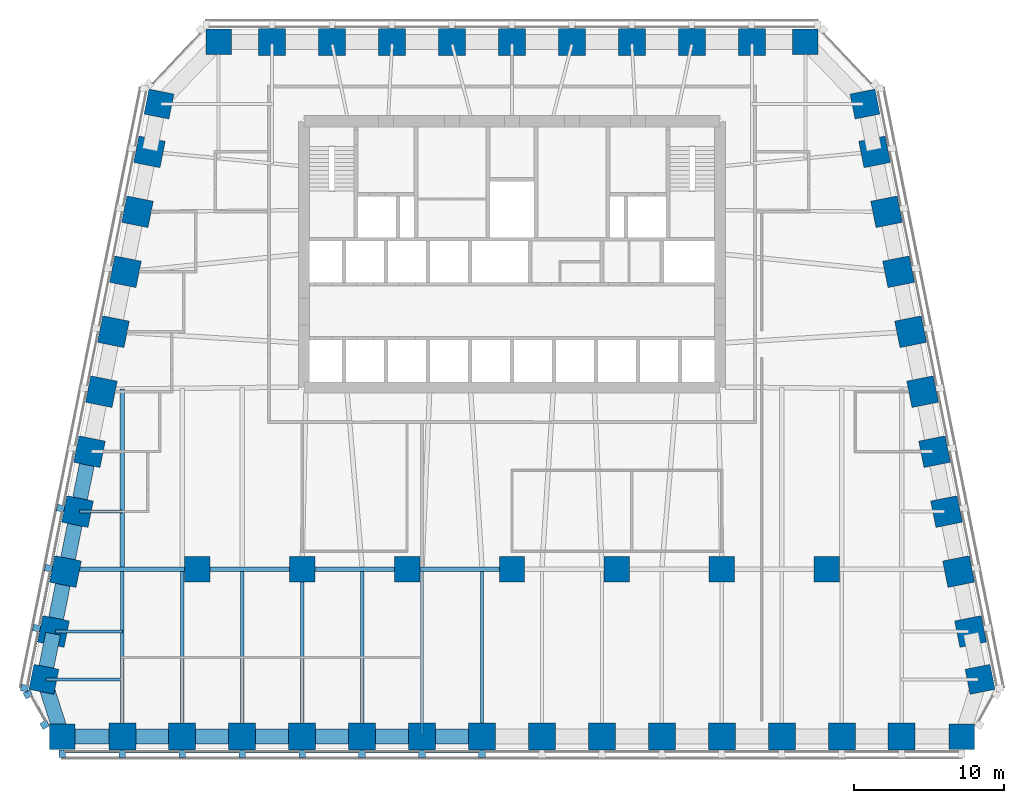
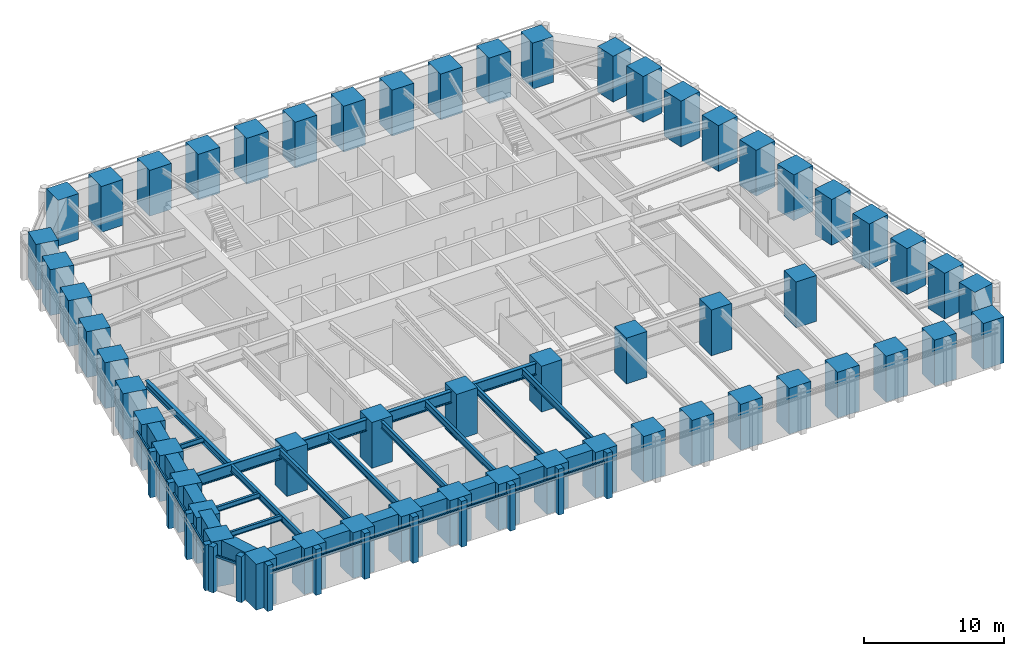
# One storey, part 1 of 10: 56 columns, 27 beams, 26 members, 3 elements without a shape of their own.
"""IFC4 building model written with IfcOpenShell, lengths in metres."""

import ifcopenshell
import ifcopenshell.guid

model = None  # the IFC model being written
_history = None  # IfcOwnerHistory: only IFC2X3 demands one
_inside = {}  # id of a spatial element -> (the spatial element, [elements in it])
_under = {}  # id of a project, library or spatial element -> (it, [spatial elements below it])
_declared = {}  # id of a project -> (the project, [libraries it declares])
_typed = {}  # id of a type object -> (the type object, [elements of that type])
_made_of = {}  # id of a material, layer set ... -> (it, [elements and type objects made of it])


def new_model(schema):
    """Start an empty IFC model of exactly this schema.

    Asked for "IFC4X3", IfcOpenShell would pick the latest addendum, in which some entities
    have other attributes; the version numbers below select the first issue.
    IFC2X3 requires an IfcOwnerHistory on every rooted entity: one is made here for all.
    """
    global model, _history
    if schema == "IFC4X3":
        model = ifcopenshell.file(schema_version=(4, 3, 0, 0))
    else:
        model = ifcopenshell.file(schema=schema)
    _inside.clear()
    _under.clear()
    _declared.clear()
    _typed.clear()
    _made_of.clear()
    _history = None
    if model.schema == "IFC2X3":
        org = make("IfcOrganization", Name="unknown")
        user = make(
            "IfcPersonAndOrganization",
            ThePerson=make("IfcPerson", FamilyName="unknown"),
            TheOrganization=org,
        )
        app = make(
            "IfcApplication",
            ApplicationDeveloper=org,
            Version="unknown",
            ApplicationFullName="unknown",
            ApplicationIdentifier="unknown",
        )
        _history = make(
            "IfcOwnerHistory",
            OwningUser=user,
            OwningApplication=app,
            ChangeAction="ADDED",
            CreationDate=0,
        )
    return model


def make(cls, **values):
    """One entity of the class cls with the attributes given. An attribute that is None is left unset."""
    return model.create_entity(
        cls, **{name: value for name, value in values.items() if value is not None}
    )


def rooted(cls, **values):
    """An entity with a GlobalId (a new one), such as an element, a storey or a relation."""
    return make(cls, GlobalId=ifcopenshell.guid.new(), OwnerHistory=_history, **values)


def si_unit(unit_type, name, prefix=None):
    """IfcSIUnit, for example si_unit("LENGTHUNIT", "METRE", prefix="MILLI")."""
    return make("IfcSIUnit", UnitType=unit_type, Prefix=prefix, Name=name)


def assignment(units):
    """IfcUnitAssignment: the units of a project."""
    return None if units is None else make("IfcUnitAssignment", Units=units)


def point(xyz):
    """IfcCartesianPoint."""
    return None if xyz is None else make("IfcCartesianPoint", Coordinates=xyz)


def direction(xyz):
    """IfcDirection."""
    return None if xyz is None else make("IfcDirection", DirectionRatios=xyz)


def frame(location, z_axis=None, x_axis=None):
    """IfcAxis2Placement3D, a coordinate frame: its origin and axes. An axis left out is left unset."""
    return make(
        "IfcAxis2Placement3D",
        Location=point(location),
        Axis=direction(z_axis),
        RefDirection=direction(x_axis),
    )


def frame_2d(location, x_axis=None):
    """IfcAxis2Placement2D, a coordinate frame in the plane: its origin and x axis."""
    return make(
        "IfcAxis2Placement2D", Location=point(location), RefDirection=direction(x_axis)
    )


def origin():
    """The frame at (0, 0, 0) with its axes left unset."""
    return frame((0.0, 0.0, 0.0))


def origin_2d():
    """The frame at (0, 0) in the plane with its x axis left unset."""
    return frame_2d((0.0, 0.0))


def place(relative_to, where):
    """IfcLocalPlacement: puts the frame where relative to a parent placement (None: the world)."""
    return make(
        "IfcLocalPlacement", PlacementRelTo=relative_to, RelativePlacement=where
    )


def context(
    kind, dimensions, precision=None, world=None, true_north=None, identifier=None
):
    """IfcGeometricRepresentationContext, for example the 3D "Model" context."""
    return make(
        "IfcGeometricRepresentationContext",
        ContextIdentifier=identifier,
        ContextType=kind,
        CoordinateSpaceDimension=dimensions,
        Precision=precision,
        WorldCoordinateSystem=world,
        TrueNorth=true_north,
    )


def subcontext(parent, identifier, kind, view, scale=None):
    """IfcGeometricRepresentationSubContext, for example "Body" below "Model"."""
    return make(
        "IfcGeometricRepresentationSubContext",
        ContextIdentifier=identifier,
        ContextType=kind,
        ParentContext=parent,
        TargetScale=scale,
        TargetView=view,
    )


def project(units=None, contexts=None):
    """IfcProject with its units and contexts."""
    return rooted(
        "IfcProject",
        Name="project",
        RepresentationContexts=contexts,
        UnitsInContext=assignment(units),
    )


def spatial(cls, under=None, at=None, **own):
    """A site, building, storey or space (cls), placed at a placement, below another one or the project."""
    s = rooted(cls, ObjectPlacement=at, **own)
    if under is not None:
        _under.setdefault(under.id(), (under, []))[1].append(s)
    return s


def profile(cls, at=None, kind="AREA", **sizes):
    """A parametric profile (cls). Its sizes go by their IFC names, for example OverallWidth=200.0."""
    return make(cls, ProfileType=kind, Position=at, **sizes)


def rectangle(**sizes):
    """IfcRectangleProfileDef."""
    return profile("IfcRectangleProfileDef", **sizes)


def i_section(**sizes):
    """IfcIShapeProfileDef."""
    return profile("IfcIShapeProfileDef", **sizes)


def extrude(swept, where, along, depth):
    """IfcExtrudedAreaSolid: the profile swept, set in the frame where, extruded along a direction by depth."""
    return make(
        "IfcExtrudedAreaSolid",
        SweptArea=swept,
        Position=where,
        ExtrudedDirection=direction(along),
        Depth=depth,
    )


def shape(context_of_items, identifier, shape_type, items):
    """IfcShapeRepresentation: the items that make up one representation, for example the "Body"."""
    return make(
        "IfcShapeRepresentation",
        ContextOfItems=context_of_items,
        RepresentationIdentifier=identifier,
        RepresentationType=shape_type,
        Items=items,
    )


def material(Name=None, Category=None):
    """IfcMaterial."""
    return make("IfcMaterial", Name=Name, Category=Category)


def material_profile(
    of_material, cross_section, Name=None, Category=None, Priority=None
):
    """IfcMaterialProfile: a cross section and its material."""
    return make(
        "IfcMaterialProfile",
        Name=Name,
        Material=of_material,
        Profile=cross_section,
        Priority=Priority,
        Category=Category,
    )


def profile_set(profiles, Name=None, composite=None):
    """IfcMaterialProfileSet."""
    return make(
        "IfcMaterialProfileSet",
        Name=Name,
        MaterialProfiles=profiles,
        CompositeProfile=composite,
    )


def made_of(thing, what):
    """Note that an element or type object is made of a material, layer set ...; save() writes the relation."""
    if what is not None:
        _made_of.setdefault(what.id(), (what, []))[1].append(thing)
    return thing


def type_object(cls, material=None, **own):
    """A type object (cls), such as IfcWallType, which elements share."""
    return made_of(rooted(cls, **own), material)


def element(
    cls,
    number,
    at=None,
    inside=None,
    cuts=None,
    type_object=None,
    material=None,
    context=None,
    identifier="Body",
    shape_type=None,
    held_by="IfcProductDefinitionShape",
    body=None,
    shapes=None,
    **own,
):
    """One element of the class cls, such as IfcWall. Its Tag is "e" and its number.

    at: its placement. inside: the storey or other place that contains it. cuts: it is an
    opening in that element (IfcRelVoidsElement). A single representation is given by context,
    identifier, shape_type and body (its items); several are given by shapes. held_by: the class
    of the entity that holds the representations. save() writes the other relations.
    """
    e = rooted(cls, Tag="e%d" % number, ObjectPlacement=at, **own)
    if body is not None:
        shapes = [shape(context, identifier, shape_type, body)]
    if shapes is not None:
        e.Representation = make(held_by, Representations=shapes)
    if inside is not None:
        _inside.setdefault(inside.id(), (inside, []))[1].append(e)
    if cuts is not None:
        rooted(
            "IfcRelVoidsElement", RelatingBuildingElement=cuts, RelatedOpeningElement=e
        )
    if type_object is not None:
        _typed.setdefault(type_object.id(), (type_object, []))[1].append(e)
    return made_of(e, material)


def aggregate(whole, parts):
    """IfcRelAggregates: a whole, such as a stair, and the parts it consists of."""
    return rooted("IfcRelAggregates", RelatingObject=whole, RelatedObjects=parts)


def save(model, path):
    """Write the relations noted so far, then the file.

    IfcRelAggregates (storeys below a building ...), IfcRelContainedInSpatialStructure (elements
    in a storey), IfcRelDefinesByType, IfcRelAssociatesMaterial and IfcRelDeclares: one each for
    every whole, place, type object, material and project.
    """
    for whole, parts in _under.values():
        aggregate(whole, parts)
    for where, things in _inside.values():
        rooted(
            "IfcRelContainedInSpatialStructure",
            RelatedElements=things,
            RelatingStructure=where,
        )
    for kind, things in _typed.values():
        rooted("IfcRelDefinesByType", RelatedObjects=things, RelatingType=kind)
    for what, things in _made_of.values():
        rooted("IfcRelAssociatesMaterial", RelatedObjects=things, RelatingMaterial=what)
    for by, libraries in _declared.values():
        rooted("IfcRelDeclares", RelatingContext=by, RelatedDefinitions=libraries)
    model.write(path)


model = new_model("IFC4")

# Units and contexts
model_context = context("Model", 3, precision=1e-05, world=origin(), true_north=direction((0.0, 1.0)))
body_context = subcontext(model_context, "Body", "Model", "MODEL_VIEW")
ifc_project = project(units=[si_unit("LENGTHUNIT", "METRE"), si_unit("AREAUNIT", "SQUARE_METRE"), si_unit("VOLUMEUNIT", "CUBIC_METRE"), si_unit("PLANEANGLEUNIT", "RADIAN"), si_unit("MASSUNIT", "GRAM", prefix="KILO")], contexts=[model_context])

# Site, building, storey
site_placement = place(None, origin())
site = spatial("IfcSite", under=ifc_project, at=site_placement, CompositionType="ELEMENT")
building_placement = place(site_placement, origin())
building = spatial("IfcBuilding", under=site, at=building_placement, Name="Isbrekke Arena Tower", CompositionType="ELEMENT")
storey_placement = place(building_placement, frame((0.0, 0.0, 111.0)))
storey = spatial("IfcBuildingStorey", under=building, at=storey_placement, Name="L24", CompositionType="ELEMENT", Elevation=111.0)

# Columns
ifc_material_1 = material(Name="Concrete B80 (C80/95)", Category="concrete")
ifc_material_profile_1 = material_profile(ifc_material_1, rectangle(XDim=1.699951171875, YDim=1.699951171875, at=origin_2d()), Name="RC 1700x1700")
ifc_profile_set_1 = profile_set([ifc_material_profile_1], Name="Concrete B80 (C80/95)")
column_type_1 = type_object("IfcColumnType", Name="C12 RC 1700 x 1700", PredefinedType="COLUMN", material=ifc_profile_set_1)
for number, where, z_axis, x_axis, name in (
    (1, (-21.0, -6.0, 0.0), (0.0, 0.0, 1.0), (1.0, 0.0, 0.0), "C12 I01"),
    (2, (-14.0, -6.0, 0.0), (0.0, 0.0, 1.0), (1.0, 0.0, 0.0), "C12 I02"),
    (3, (-7.0, -6.0, 0.0), (0.0, 0.0, 1.0), (1.0, 0.0, 0.0), "C12 I03"),
    (4, (0.0, -6.0, 0.0), (0.0, 0.0, 1.0), (1.0, 0.0, 0.0), "C12 I04"),
    (5, (7.0, -6.0, 0.0), (0.0, 0.0, 1.0), (1.0, 0.0, 0.0), "C12 I05"),
    (6, (14.0, -6.0, 0.0), (0.0, 0.0, 1.0), (1.0, 0.0, 0.0), "C12 I06"),
    (7, (21.0, -6.0, 0.0), (0.0, 0.0, 1.0), (1.0, 0.0, 0.0), "C12 I07"),
):
    element("IfcColumn", number, at=place(storey_placement, frame(where, z_axis=z_axis, x_axis=x_axis)), inside=storey, type_object=column_type_1, Name=name, PredefinedType="COLUMN", context=body_context, shape_type="SweptSolid", body=[
        extrude(rectangle(XDim=1.699951171875, YDim=1.699951171875, at=origin_2d()), origin(), (0.0, 0.0, 1.0), 4.0),
    ])
ifc_material_2 = material(Name="Concrete B80 (C80/95)", Category="concrete")
ifc_material_profile_2 = material_profile(ifc_material_2, rectangle(XDim=1.800048828125, YDim=1.800048828125, at=origin_2d()), Name="RC 1800x1800")
ifc_profile_set_2 = profile_set([ifc_material_profile_2], Name="Concrete B80 (C80/95)")
column_type_2 = type_object("IfcColumnType", Name="C3 RC 1800 x 1800", PredefinedType="COLUMN", material=ifc_profile_set_2)
for number, where, z_axis, x_axis, name in (
    (8, (-26.0, -17.175048828125, 0.0), (0.0, 0.0, 1.0), (1.0, 0.0, 0.0), "C3 S02"),
    (9, (-22.0, -17.175048828125, 0.0), (0.0, 0.0, 1.0), (1.0, 0.0, 0.0), "C3 S03"),
    (10, (-18.0, -17.175048828125, 0.0), (0.0, 0.0, 1.0), (1.0, 0.0, 0.0), "C3 S04"),
    (11, (-14.0, -17.175048828125, 0.0), (0.0, 0.0, 1.0), (1.0, 0.0, 0.0), "C3 S05"),
    (12, (-10.0, -17.175048828125, 0.0), (0.0, 0.0, 1.0), (1.0, 0.0, 0.0), "C3 S06"),
    (13, (-6.0, -17.175048828125, 0.0), (0.0, 0.0, 1.0), (1.0, 0.0, 0.0), "C3 S07"),
    (14, (-2.0, -17.175048828125, 0.0), (0.0, 0.0, 1.0), (1.0, 0.0, 0.0), "C3 S08"),
    (15, (2.0, -17.175048828125, 0.0), (0.0, 0.0, 1.0), (1.0, 0.0, 0.0), "C3 S09"),
    (16, (6.0, -17.175048828125, 0.0), (0.0, 0.0, 1.0), (1.0, 0.0, 0.0), "C3 S10"),
    (17, (10.0, -17.175048828125, 0.0), (0.0, 0.0, 1.0), (1.0, 0.0, 0.0), "C3 S11"),
    (18, (14.0, -17.175048828125, 0.0), (0.0, 0.0, 1.0), (1.0, 0.0, 0.0), "C3 S12"),
    (19, (18.0, -17.175048828125, 0.0), (0.0, 0.0, 1.0), (1.0, 0.0, 0.0), "C3 S13"),
    (20, (22.0, -17.175048828125, 0.0), (0.0, 0.0, 1.0), (1.0, 0.0, 0.0), "C3 S14"),
    (21, (26.0, -17.175048828125, 0.0), (0.0, 0.0, 1.0), (1.0, 0.0, 0.0), "C3 S15"),
    (22, (30.591064453125, -10.161865234375, 0.0), (0.0, 0.0, 1.0), (-0.196116135138, 0.980580675691, 0.0), "C3 E02"),
    (23, (29.791015625, -6.161865234375, 0.0), (0.0, 0.0, 1.0), (-0.196116135138, 0.980580675691, 0.0), "C3 E03"),
    (24, (28.990966796875, -2.161865234375, 0.0), (0.0, 0.0, 1.0), (-0.196116135138, 0.980580675691, 0.0), "C3 E04"),
    (25, (28.19091796875, 1.838134765625, 0.0), (0.0, 0.0, 1.0), (-0.196116135138, 0.980580675691, 0.0), "C3 E05"),
    (26, (27.39111328125, 5.838134765625, 0.0), (0.0, 0.0, 1.0), (-0.196116135138, 0.980580675691, 0.0), "C3 E06"),
    (27, (26.591064453125, 9.838134765625, 0.0), (0.0, 0.0, 1.0), (-0.196116135138, 0.980580675691, 0.0), "C3 E07"),
    (28, (25.791015625, 13.838134765625, 0.0), (0.0, 0.0, 1.0), (-0.196116135138, 0.980580675691, 0.0), "C3 E08"),
    (29, (24.990966796875, 17.838134765625, 0.0), (0.0, 0.0, 1.0), (-0.196116135138, 0.980580675691, 0.0), "C3 E09"),
    (30, (24.19091796875, 21.838134765625, 0.0), (0.0, 0.0, 1.0), (-0.196116135138, 0.980580675691, 0.0), "C3 E10"),
    (31, (16.0, 29.175048828125, 0.0), (0.0, 0.0, 1.0), (-1.0, 0.0, 0.0), "C3 N02"),
    (32, (12.0, 29.175048828125, 0.0), (0.0, 0.0, 1.0), (-1.0, 0.0, 0.0), "C3 N03"),
    (33, (8.0, 29.175048828125, 0.0), (0.0, 0.0, 1.0), (-1.0, 0.0, 0.0), "C3 N04"),
    (34, (4.0, 29.175048828125, 0.0), (0.0, 0.0, 1.0), (-1.0, 0.0, 0.0), "C3 N05"),
    (35, (0.0, 29.175048828125, 0.0), (0.0, 0.0, 1.0), (-1.0, 0.0, 0.0), "C3 N06"),
    (36, (-4.0, 29.175048828125, 0.0), (0.0, 0.0, 1.0), (-1.0, 0.0, 0.0), "C3 N07"),
    (37, (-8.0, 29.175048828125, 0.0), (0.0, 0.0, 1.0), (-1.0, 0.0, 0.0), "C3 N08"),
    (38, (-12.0, 29.175048828125, 0.0), (0.0, 0.0, 1.0), (-1.0, 0.0, 0.0), "C3 N09"),
    (39, (-16.0, 29.175048828125, 0.0), (0.0, 0.0, 1.0), (-1.0, 0.0, 0.0), "C3 N10"),
    (40, (-24.19091796875, 21.838134765625, 0.0), (0.0, 0.0, 1.0), (-0.196116135138, -0.980580675691, 0.0), "C3 W02"),
    (41, (-24.990966796875, 17.838134765625, 0.0), (0.0, 0.0, 1.0), (-0.196116135138, -0.980580675691, 0.0), "C3 W03"),
    (42, (-25.791015625, 13.838134765625, 0.0), (0.0, 0.0, 1.0), (-0.196116135138, -0.980580675691, 0.0), "C3 W04"),
    (43, (-26.591064453125, 9.838134765625, 0.0), (0.0, 0.0, 1.0), (-0.196116135138, -0.980580675691, 0.0), "C3 W05"),
    (44, (-27.39111328125, 5.838134765625, 0.0), (0.0, 0.0, 1.0), (-0.196116135138, -0.980580675691, 0.0), "C3 W06"),
    (45, (-28.19091796875, 1.838134765625, 0.0), (0.0, 0.0, 1.0), (-0.196116135138, -0.980580675691, 0.0), "C3 W07"),
    (46, (-28.990966796875, -2.161865234375, 0.0), (0.0, 0.0, 1.0), (-0.196116135138, -0.980580675691, 0.0), "C3 W08"),
    (47, (-29.791015625, -6.161865234375, 0.0), (0.0, 0.0, 1.0), (-0.196116135138, -0.980580675691, 0.0), "C3 W09"),
    (48, (-30.591064453125, -10.161865234375, 0.0), (0.0, 0.0, 1.0), (-0.196116135138, -0.980580675691, 0.0), "C3 W10"),
):
    element("IfcColumn", number, at=place(storey_placement, frame(where, z_axis=z_axis, x_axis=x_axis)), inside=storey, type_object=column_type_2, Name=name, PredefinedType="COLUMN", context=body_context, shape_type="SweptSolid", body=[
        extrude(rectangle(XDim=1.800048828125, YDim=1.800048828125, at=origin_2d()), origin(), (0.0, 0.0, 1.0), 4.0),
    ])
ifc_material_3 = material(Name="Concrete B80 (C80/95)", Category="concrete")
ifc_material_profile_3 = material_profile(ifc_material_3, rectangle(XDim=1.699951171875, YDim=1.699951171875, at=origin_2d()), Name="RC 1700x1700")
ifc_profile_set_3 = profile_set([ifc_material_profile_3], Name="Concrete B80 (C80/95)")
column_type_3 = type_object("IfcColumnType", Name="C7 RC 1700 x 1700", PredefinedType="COLUMN", material=ifc_profile_set_3)
for number, where, z_axis, x_axis, name in (
    (49, (-30.0, -17.175048828125, 0.0), (0.0, 0.0, 1.0), (1.0, 0.0, 0.0), "C7 S01"),
    (50, (30.0, -17.175048828125, 0.0), (0.0, 0.0, 1.0), (1.0, 0.0, 0.0), "C7 S16"),
    (51, (31.229248046875, -13.352783203125, 0.0), (0.0, 0.0, 1.0), (-0.196116135138, 0.980580675691, 0.0), "C7 E01"),
    (52, (23.552734375, 25.029296875, 0.0), (0.0, 0.0, 1.0), (-0.196116135138, 0.980580675691, 0.0), "C7 E11"),
    (53, (19.574951171875, 29.175048828125, 0.0), (0.0, 0.0, 1.0), (-1.0, 0.0, 0.0), "C7 N01"),
    (54, (-19.574951171875, 29.175048828125, 0.0), (0.0, 0.0, 1.0), (-1.0, 0.0, 0.0), "C7 N11"),
    (55, (-23.552734375, 25.029296875, 0.0), (0.0, 0.0, 1.0), (-0.196116135138, -0.980580675691, 0.0), "C7 W01"),
    (56, (-31.229248046875, -13.352783203125, 0.0), (0.0, 0.0, 1.0), (-0.196116135138, -0.980580675691, 0.0), "C7 W11"),
):
    element("IfcColumn", number, at=place(storey_placement, frame(where, z_axis=z_axis, x_axis=x_axis)), inside=storey, type_object=column_type_3, Name=name, PredefinedType="COLUMN", context=body_context, shape_type="SweptSolid", body=[
        extrude(rectangle(XDim=1.699951171875, YDim=1.699951171875, at=origin_2d()), origin(), (0.0, 0.0, 1.0), 4.0),
    ])

# Beams
ifc_material_4 = material(Name="Steel S355", Category="steel")
ifc_material_profile_4 = material_profile(ifc_material_4, i_section(OverallWidth=0.219970703125, OverallDepth=0.60009765625, WebThickness=0.011962890625, FlangeThickness=0.01904296875, FilletRadius=0.02392578125, at=origin_2d()), Name="IPE 600")
ifc_profile_set_4 = profile_set([ifc_material_profile_4], Name="Steel S355")
beam_type_1 = type_object("IfcBeamType", Name="B1 IPE 600", PredefinedType="BEAM", material=ifc_profile_set_4)
for number, where, z_axis, x_axis, name in (
    (57, (-26.0, -17.02490234375, 3.550048828125), (0.0, 1.0, 0.0), (-1.0, 0.0, 0.0), "B1 beam S-S02 L24"),
    (58, (-22.0, -17.02490234375, 3.550048828125), (0.0, 1.0, 0.0), (-1.0, 0.0, 0.0), "B1 beam S-S03 L24"),
    (59, (-18.0, -17.02490234375, 3.550048828125), (0.0, 1.0, 0.0), (-1.0, 0.0, 0.0), "B1 beam S-S04 L24"),
):
    element("IfcBeam", number, at=place(storey_placement, frame(where, z_axis=z_axis, x_axis=x_axis)), inside=storey, type_object=beam_type_1, Name=name, PredefinedType="BEAM", context=body_context, shape_type="SweptSolid", body=[
        extrude(i_section(OverallWidth=0.219970703125, OverallDepth=0.60009765625, WebThickness=0.011962890625, FlangeThickness=0.01904296875, FilletRadius=0.02392578125, at=origin_2d()), origin(), (0.0, 0.0, 1.0), 10.8740234375),
    ])
beam_1_placement = place(storey_placement, frame((-14.0, -17.02490234375, 3.550048828125), z_axis=(0.0, 1.0, 0.0), x_axis=(-1.0, 0.0, 0.0)))
element("IfcBeam", 60, at=beam_1_placement, inside=storey, type_object=beam_type_1, Name="B1 beam S-S05 L24", PredefinedType="BEAM", context=body_context, shape_type="SweptSolid", body=[
    extrude(i_section(OverallWidth=0.219970703125, OverallDepth=0.60009765625, WebThickness=0.011962890625, FlangeThickness=0.01904296875, FilletRadius=0.02392578125, at=origin_2d()), origin(), (0.0, 0.0, 1.0), 10.875),
])
for number, where, z_axis, x_axis, name in (
    (61, (-10.0, -17.02490234375, 3.550048828125), (0.0, 1.0, 0.0), (-1.0, 0.0, 0.0), "B1 beam S-S06 L24"),
    (62, (-6.0, -17.02490234375, 3.550048828125), (0.0, 1.0, 0.0), (-1.0, 0.0, 0.0), "B1 beam S-S07 L24"),
    (63, (-2.0, -17.02490234375, 3.550048828125), (0.0, 1.0, 0.0), (-1.0, 0.0, 0.0), "B1 beam S-S08 L24"),
):
    element("IfcBeam", number, at=place(storey_placement, frame(where, z_axis=z_axis, x_axis=x_axis)), inside=storey, type_object=beam_type_1, Name=name, PredefinedType="BEAM", context=body_context, shape_type="SweptSolid", body=[
        extrude(i_section(OverallWidth=0.219970703125, OverallDepth=0.60009765625, WebThickness=0.011962890625, FlangeThickness=0.01904296875, FilletRadius=0.02392578125, at=origin_2d()), origin(), (0.0, 0.0, 1.0), 10.8740234375),
    ])
ifc_material_5 = material(Name="Steel S355", Category="steel")
ifc_material_profile_5 = material_profile(ifc_material_5, i_section(OverallWidth=0.18994140625, OverallDepth=0.449951171875, WebThickness=0.009521484375, FlangeThickness=0.0146484375, FilletRadius=0.02099609375, at=origin_2d()), Name="IPE 450")
ifc_profile_set_5 = profile_set([ifc_material_profile_5], Name="Steel S355")
beam_type_2 = type_object("IfcBeamType", Name="B2 IPE 450", PredefinedType="BEAM", material=ifc_profile_set_5)
beam_2_placement = place(storey_placement, frame((-28.841064453125, -2.161865234375, 3.625), z_axis=(1.0, 0.0, 0.0), x_axis=(0.0, 1.0, 0.0)))
element("IfcBeam", 64, at=beam_2_placement, inside=storey, type_object=beam_type_2, Name="B2 beam E-W08 L24", PredefinedType="BEAM", context=body_context, shape_type="SweptSolid", body=[
    extrude(i_section(OverallWidth=0.18994140625, OverallDepth=0.449951171875, WebThickness=0.009521484375, FlangeThickness=0.0146484375, FilletRadius=0.02099609375, at=origin_2d()), origin(), (0.0, 0.0, 1.0), 2.841064453125),
])
beam_3_placement = place(storey_placement, frame((-30.44091796875, -10.161865234375, 3.625), z_axis=(1.0, 0.0, 0.0), x_axis=(0.0, 1.0, 0.0)))
element("IfcBeam", 65, at=beam_3_placement, inside=storey, type_object=beam_type_2, Name="B2 beam E-W10 L24", PredefinedType="BEAM", context=body_context, shape_type="SweptSolid", body=[
    extrude(i_section(OverallWidth=0.18994140625, OverallDepth=0.449951171875, WebThickness=0.009521484375, FlangeThickness=0.0146484375, FilletRadius=0.02099609375, at=origin_2d()), origin(), (0.0, 0.0, 1.0), 4.44091796875),
])
beam_4_placement = place(storey_placement, frame((-31.079345703125, -13.352783203125, 3.625), z_axis=(1.0, 0.0, 0.0), x_axis=(0.0, 1.0, 0.0)))
element("IfcBeam", 66, at=beam_4_placement, inside=storey, type_object=beam_type_2, Name="B2 beam E-W11 L24", PredefinedType="BEAM", context=body_context, shape_type="SweptSolid", body=[
    extrude(i_section(OverallWidth=0.18994140625, OverallDepth=0.449951171875, WebThickness=0.009521484375, FlangeThickness=0.0146484375, FilletRadius=0.02099609375, at=origin_2d()), origin(), (0.0, 0.0, 1.0), 5.079345703125),
])
ifc_material_6 = material(Name="Steel S355", Category="steel")
ifc_material_profile_6 = material_profile(ifc_material_6, i_section(OverallWidth=0.300048828125, OverallDepth=0.60009765625, WebThickness=0.015380859375, FlangeThickness=0.030029296875, FilletRadius=0.027099609375, at=origin_2d()), Name="HEB 600")
ifc_profile_set_6 = profile_set([ifc_material_profile_6], Name="Steel S355")
beam_type_3 = type_object("IfcBeamType", Name="B7 HEB 600", PredefinedType="BEAM", material=ifc_profile_set_6)
beam_5_placement = place(storey_placement, frame((-26.0, -5.84912109375, 3.550048828125), z_axis=(0.0, 1.0, 0.0), x_axis=(-1.0, 0.0, 0.0)))
element("IfcBeam", 67, at=beam_5_placement, inside=storey, type_object=beam_type_3, Name="B7 beam C-M01 L24", PredefinedType="BEAM", context=body_context, shape_type="SweptSolid", body=[
    extrude(i_section(OverallWidth=0.300048828125, OverallDepth=0.60009765625, WebThickness=0.015380859375, FlangeThickness=0.030029296875, FilletRadius=0.027099609375, at=origin_2d()), origin(), (0.0, 0.0, 1.0), 11.864990234375),
])

# Curtain wall, members
ifc_material_7 = material(Name="Glazed aluminium curtain wall", Category="aluminium")
curtain_wall_type = type_object("IfcCurtainWallType", Name="CWM TOWER CURTAIN WALL MID ZONE", PredefinedType="USERDEFINED", material=ifc_material_7)
curtain_wall_1_placement = place(storey_placement, origin())
curtain_wall_1 = element("IfcCurtainWall", 68, at=curtain_wall_1_placement, inside=storey, type_object=curtain_wall_type, Name="CWM curtain wall L24-S", ObjectType="TOWER CURTAIN WALL MID ZONE", PredefinedType="USERDEFINED")
ifc_material_8 = material(Name="Aluminium mullion, pale brick slip cladding", Category="masonry")
ifc_material_profile_7 = material_profile(ifc_material_8, rectangle(XDim=0.449951171875, YDim=0.5, at=origin_2d()), Name="PIER 450X500")
ifc_profile_set_7 = profile_set([ifc_material_profile_7], Name="Aluminium mullion, pale brick slip cladding")
member_type_1 = type_object("IfcMemberType", Name="CWM-M PIER MULLION 450 x 500", PredefinedType="MULLION", material=ifc_profile_set_7)
member_1_placement = place(storey_placement, frame((-30.0, -18.324951171875, 0.0), z_axis=(0.0, 0.0, 1.0), x_axis=(1.0, 0.0, 0.0)))
member_1 = element("IfcMember", 69, at=member_1_placement, type_object=member_type_1, Name="CWM-M mullion 1", PredefinedType="MULLION", context=body_context, shape_type="SweptSolid", body=[
    extrude(rectangle(XDim=0.449951171875, YDim=0.5, at=origin_2d()), origin(), (0.0, 0.0, 1.0), 4.0),
])
member_2_placement = place(storey_placement, frame((-26.0, -18.324951171875, 0.0), z_axis=(0.0, 0.0, 1.0), x_axis=(1.0, 0.0, 0.0)))
member_2 = element("IfcMember", 70, at=member_2_placement, type_object=member_type_1, Name="CWM-M mullion 2", PredefinedType="MULLION", context=body_context, shape_type="SweptSolid", body=[
    extrude(rectangle(XDim=0.449951171875, YDim=0.5, at=origin_2d()), origin(), (0.0, 0.0, 1.0), 4.0),
])
member_3_placement = place(storey_placement, frame((-22.0, -18.324951171875, 0.0), z_axis=(0.0, 0.0, 1.0), x_axis=(1.0, 0.0, 0.0)))
member_3 = element("IfcMember", 71, at=member_3_placement, type_object=member_type_1, Name="CWM-M mullion 3", PredefinedType="MULLION", context=body_context, shape_type="SweptSolid", body=[
    extrude(rectangle(XDim=0.449951171875, YDim=0.5, at=origin_2d()), origin(), (0.0, 0.0, 1.0), 4.0),
])
member_4_placement = place(storey_placement, frame((-18.0, -18.324951171875, 0.0), z_axis=(0.0, 0.0, 1.0), x_axis=(1.0, 0.0, 0.0)))
member_4 = element("IfcMember", 72, at=member_4_placement, type_object=member_type_1, Name="CWM-M mullion 4", PredefinedType="MULLION", context=body_context, shape_type="SweptSolid", body=[
    extrude(rectangle(XDim=0.449951171875, YDim=0.5, at=origin_2d()), origin(), (0.0, 0.0, 1.0), 4.0),
])
member_5_placement = place(storey_placement, frame((-14.0, -18.324951171875, 0.0), z_axis=(0.0, 0.0, 1.0), x_axis=(1.0, 0.0, 0.0)))
member_5 = element("IfcMember", 73, at=member_5_placement, type_object=member_type_1, Name="CWM-M mullion 5", PredefinedType="MULLION", context=body_context, shape_type="SweptSolid", body=[
    extrude(rectangle(XDim=0.449951171875, YDim=0.5, at=origin_2d()), origin(), (0.0, 0.0, 1.0), 4.0),
])
member_6_placement = place(storey_placement, frame((-10.0, -18.324951171875, 0.0), z_axis=(0.0, 0.0, 1.0), x_axis=(1.0, 0.0, 0.0)))
member_6 = element("IfcMember", 74, at=member_6_placement, type_object=member_type_1, Name="CWM-M mullion 6", PredefinedType="MULLION", context=body_context, shape_type="SweptSolid", body=[
    extrude(rectangle(XDim=0.449951171875, YDim=0.5, at=origin_2d()), origin(), (0.0, 0.0, 1.0), 4.0),
])
member_7_placement = place(storey_placement, frame((-6.0, -18.324951171875, 0.0), z_axis=(0.0, 0.0, 1.0), x_axis=(1.0, 0.0, 0.0)))
member_7 = element("IfcMember", 75, at=member_7_placement, type_object=member_type_1, Name="CWM-M mullion 7", PredefinedType="MULLION", context=body_context, shape_type="SweptSolid", body=[
    extrude(rectangle(XDim=0.449951171875, YDim=0.5, at=origin_2d()), origin(), (0.0, 0.0, 1.0), 4.0),
])
member_8_placement = place(storey_placement, frame((-2.0, -18.324951171875, 0.0), z_axis=(0.0, 0.0, 1.0), x_axis=(1.0, 0.0, 0.0)))
member_8 = element("IfcMember", 76, at=member_8_placement, type_object=member_type_1, Name="CWM-M mullion 8", PredefinedType="MULLION", context=body_context, shape_type="SweptSolid", body=[
    extrude(rectangle(XDim=0.449951171875, YDim=0.5, at=origin_2d()), origin(), (0.0, 0.0, 1.0), 4.0),
])

curtain_wall_2_placement = place(storey_placement, origin())
curtain_wall_2 = element("IfcCurtainWall", 77, at=curtain_wall_2_placement, inside=storey, type_object=curtain_wall_type, Name="CWM curtain wall L24-W", ObjectType="TOWER CURTAIN WALL MID ZONE", PredefinedType="USERDEFINED")
member_9_placement = place(storey_placement, frame((-30.11865234375, -1.936279296875, 0.0), z_axis=(0.0, 0.0, 1.0), x_axis=(-0.196116135138, -0.980580675691, 0.0)))
member_9 = element("IfcMember", 78, at=member_9_placement, type_object=member_type_1, Name="CWM-M mullion 8", PredefinedType="MULLION", context=body_context, shape_type="SweptSolid", body=[
    extrude(rectangle(XDim=0.449951171875, YDim=0.5, at=origin_2d()), origin(), (0.0, 0.0, 1.0), 4.0),
])
member_10_placement = place(storey_placement, frame((-30.918701171875, -5.936279296875, 0.0), z_axis=(0.0, 0.0, 1.0), x_axis=(-0.196116135138, -0.980580675691, 0.0)))
member_10 = element("IfcMember", 79, at=member_10_placement, type_object=member_type_1, Name="CWM-M mullion 9", PredefinedType="MULLION", context=body_context, shape_type="SweptSolid", body=[
    extrude(rectangle(XDim=0.449951171875, YDim=0.5, at=origin_2d()), origin(), (0.0, 0.0, 1.0), 4.0),
])
member_11_placement = place(storey_placement, frame((-31.71875, -9.936279296875, 0.0), z_axis=(0.0, 0.0, 1.0), x_axis=(-0.196116135138, -0.980580675691, 0.0)))
member_11 = element("IfcMember", 80, at=member_11_placement, type_object=member_type_1, Name="CWM-M mullion 10", PredefinedType="MULLION", context=body_context, shape_type="SweptSolid", body=[
    extrude(rectangle(XDim=0.449951171875, YDim=0.5, at=origin_2d()), origin(), (0.0, 0.0, 1.0), 4.0),
])
member_12_placement = place(storey_placement, frame((-32.518798828125, -13.936279296875, 0.0), z_axis=(0.0, 0.0, 1.0), x_axis=(-0.196116135138, -0.980580675691, 0.0)))
member_12 = element("IfcMember", 81, at=member_12_placement, type_object=member_type_1, Name="CWM-M mullion 11", PredefinedType="MULLION", context=body_context, shape_type="SweptSolid", body=[
    extrude(rectangle(XDim=0.449951171875, YDim=0.5, at=origin_2d()), origin(), (0.0, 0.0, 1.0), 4.0),
])

curtain_wall_3_placement = place(storey_placement, origin())
curtain_wall_3 = element("IfcCurtainWall", 82, at=curtain_wall_3_placement, inside=storey, type_object=curtain_wall_type, Name="CWM curtain wall L24-WS", ObjectType="TOWER CURTAIN WALL MID ZONE", PredefinedType="USERDEFINED")
member_13_placement = place(storey_placement, frame((-32.29638671875, -14.34326171875, 0.0), z_axis=(0.0, 0.0, 1.0), x_axis=(0.481918749773, -0.876215908676, 0.0)))
member_13 = element("IfcMember", 83, at=member_13_placement, type_object=member_type_1, Name="CWM-M mullion 1", PredefinedType="MULLION", context=body_context, shape_type="SweptSolid", body=[
    extrude(rectangle(XDim=0.449951171875, YDim=0.5, at=origin_2d()), origin(), (0.0, 0.0, 1.0), 4.0),
])
member_14_placement = place(storey_placement, frame((-31.174560546875, -16.38330078125, 0.0), z_axis=(0.0, 0.0, 1.0), x_axis=(0.481918749773, -0.876215908676, 0.0)))
member_14 = element("IfcMember", 84, at=member_14_placement, type_object=member_type_1, Name="CWM-M mullion 2", PredefinedType="MULLION", context=body_context, shape_type="SweptSolid", body=[
    extrude(rectangle(XDim=0.449951171875, YDim=0.5, at=origin_2d()), origin(), (0.0, 0.0, 1.0), 4.0),
])

# Member
ifc_material_9 = material(Name="Aluminium transom", Category="aluminium")
ifc_material_profile_8 = material_profile(ifc_material_9, rectangle(XDim=0.1201171875, YDim=0.199951171875, at=origin_2d()), Name="TRANSOM 120X200")
ifc_profile_set_8 = profile_set([ifc_material_profile_8], Name="Aluminium transom")
member_type_2 = type_object("IfcMemberType", Name="CWM-T TRANSOM 120 x 200", PredefinedType="USERDEFINED", material=ifc_profile_set_8)
member_15_placement = place(storey_placement, frame((-29.77490234375, -18.175048828125, 3.0), z_axis=(1.0, 0.0, 0.0), x_axis=(0.0, 1.0, 0.0)))
member_15 = element("IfcMember", 85, at=member_15_placement, type_object=member_type_2, Name="CWM-T transom 1", ObjectType="TRANSOM", PredefinedType="USERDEFINED", context=body_context, shape_type="SweptSolid", body=[
    extrude(rectangle(XDim=0.1201171875, YDim=0.199951171875, at=origin_2d()), origin(), (0.0, 0.0, 1.0), 3.5498046875),
])

member_16_placement = place(storey_placement, frame((-25.77490234375, -18.175048828125, 3.0), z_axis=(1.0, 0.0, 0.0), x_axis=(0.0, 1.0, 0.0)))
member_16 = element("IfcMember", 86, at=member_16_placement, type_object=member_type_2, Name="CWM-T transom 2", ObjectType="TRANSOM", PredefinedType="USERDEFINED", context=body_context, shape_type="SweptSolid", body=[
    extrude(rectangle(XDim=0.1201171875, YDim=0.199951171875, at=origin_2d()), origin(), (0.0, 0.0, 1.0), 3.5498046875),
])

member_17_placement = place(storey_placement, frame((-21.77490234375, -18.175048828125, 3.0), z_axis=(1.0, 0.0, 0.0), x_axis=(0.0, 1.0, 0.0)))
member_17 = element("IfcMember", 87, at=member_17_placement, type_object=member_type_2, Name="CWM-T transom 3", ObjectType="TRANSOM", PredefinedType="USERDEFINED", context=body_context, shape_type="SweptSolid", body=[
    extrude(rectangle(XDim=0.1201171875, YDim=0.199951171875, at=origin_2d()), origin(), (0.0, 0.0, 1.0), 3.5498046875),
])

member_18_placement = place(storey_placement, frame((-17.77490234375, -18.175048828125, 3.0), z_axis=(1.0, 0.0, 0.0), x_axis=(0.0, 1.0, 0.0)))
member_18 = element("IfcMember", 88, at=member_18_placement, type_object=member_type_2, Name="CWM-T transom 4", ObjectType="TRANSOM", PredefinedType="USERDEFINED", context=body_context, shape_type="SweptSolid", body=[
    extrude(rectangle(XDim=0.1201171875, YDim=0.199951171875, at=origin_2d()), origin(), (0.0, 0.0, 1.0), 3.5498046875),
])

member_19_placement = place(storey_placement, frame((-13.77490234375, -18.175048828125, 3.0), z_axis=(1.0, 0.0, 0.0), x_axis=(0.0, 1.0, 0.0)))
member_19 = element("IfcMember", 89, at=member_19_placement, type_object=member_type_2, Name="CWM-T transom 5", ObjectType="TRANSOM", PredefinedType="USERDEFINED", context=body_context, shape_type="SweptSolid", body=[
    extrude(rectangle(XDim=0.1201171875, YDim=0.199951171875, at=origin_2d()), origin(), (0.0, 0.0, 1.0), 3.5498046875),
])

member_20_placement = place(storey_placement, frame((-9.77490234375, -18.175048828125, 3.0), z_axis=(1.0, 0.0, 0.0), x_axis=(0.0, 1.0, 0.0)))
member_20 = element("IfcMember", 90, at=member_20_placement, type_object=member_type_2, Name="CWM-T transom 6", ObjectType="TRANSOM", PredefinedType="USERDEFINED", context=body_context, shape_type="SweptSolid", body=[
    extrude(rectangle(XDim=0.1201171875, YDim=0.199951171875, at=origin_2d()), origin(), (0.0, 0.0, 1.0), 3.5498046875),
])

member_21_placement = place(storey_placement, frame((-5.77490234375, -18.175048828125, 3.0), z_axis=(1.0, 0.0, 0.0), x_axis=(0.0, 1.0, 0.0)))
member_21 = element("IfcMember", 91, at=member_21_placement, type_object=member_type_2, Name="CWM-T transom 7", ObjectType="TRANSOM", PredefinedType="USERDEFINED", context=body_context, shape_type="SweptSolid", body=[
    extrude(rectangle(XDim=0.1201171875, YDim=0.199951171875, at=origin_2d()), origin(), (0.0, 0.0, 1.0), 3.5498046875),
])

aggregate(curtain_wall_1, [member_1, member_2, member_3, member_4, member_5, member_6, member_7, member_8, member_15, member_16, member_17, member_18, member_19, member_20, member_21])

member_22_placement = place(storey_placement, frame((-29.2158203125, 1.813720703125, 3.0), z_axis=(-0.196090262229, -0.980585849918, 0.0), x_axis=(0.980585849918, -0.196090262229, 0.0)))
member_22 = element("IfcMember", 92, at=member_22_placement, type_object=member_type_2, Name="CWM-T transom 7", ObjectType="TRANSOM", PredefinedType="USERDEFINED", context=body_context, shape_type="SweptSolid", body=[
    extrude(rectangle(XDim=0.1201171875, YDim=0.199951171875, at=origin_2d()), origin(), (0.0, 0.0, 1.0), 3.62939453125),
])

member_23_placement = place(storey_placement, frame((-30.015625, -2.186279296875, 3.0), z_axis=(-0.196154943734, -0.980572913173, 0.0), x_axis=(0.980572913173, -0.196154943734, 0.0)))
member_23 = element("IfcMember", 93, at=member_23_placement, type_object=member_type_2, Name="CWM-T transom 8", ObjectType="TRANSOM", PredefinedType="USERDEFINED", context=body_context, shape_type="SweptSolid", body=[
    extrude(rectangle(XDim=0.1201171875, YDim=0.199951171875, at=origin_2d()), origin(), (0.0, 0.0, 1.0), 3.62939453125),
])

member_24_placement = place(storey_placement, frame((-30.815673828125, -6.186279296875, 3.0), z_axis=(-0.196154943734, -0.980572913173, 0.0), x_axis=(0.980572913173, -0.196154943734, 0.0)))
member_24 = element("IfcMember", 94, at=member_24_placement, type_object=member_type_2, Name="CWM-T transom 9", ObjectType="TRANSOM", PredefinedType="USERDEFINED", context=body_context, shape_type="SweptSolid", body=[
    extrude(rectangle(XDim=0.1201171875, YDim=0.199951171875, at=origin_2d()), origin(), (0.0, 0.0, 1.0), 3.62939453125),
])

member_25_placement = place(storey_placement, frame((-31.61572265625, -10.186279296875, 3.0), z_axis=(-0.196090262229, -0.980585849918, 0.0), x_axis=(0.980585849918, -0.196090262229, 0.0)))
member_25 = element("IfcMember", 95, at=member_25_placement, type_object=member_type_2, Name="CWM-T transom 10", ObjectType="TRANSOM", PredefinedType="USERDEFINED", context=body_context, shape_type="SweptSolid", body=[
    extrude(rectangle(XDim=0.1201171875, YDim=0.199951171875, at=origin_2d()), origin(), (0.0, 0.0, 1.0), 3.62939453125),
])

aggregate(curtain_wall_2, [member_9, member_10, member_11, member_12, member_22, member_23, member_24, member_25])

member_26_placement = place(storey_placement, frame((-32.056640625, -14.46826171875, 3.0), z_axis=(0.481918749772, -0.876215908677, 0.0), x_axis=(0.876215908677, 0.481918749772, 0.0)))
member_26 = element("IfcMember", 96, at=member_26_placement, type_object=member_type_2, Name="CWM-T transom 1", ObjectType="TRANSOM", PredefinedType="USERDEFINED", context=body_context, shape_type="SweptSolid", body=[
    extrude(rectangle(XDim=0.1201171875, YDim=0.199951171875, at=origin_2d()), origin(), (0.0, 0.0, 1.0), 1.8779296875),
])

aggregate(curtain_wall_3, [member_13, member_14, member_26])

# Beams
ifc_material_10 = material(Name="Steel S355", Category="steel")
ifc_material_profile_9 = material_profile(ifc_material_10, i_section(OverallWidth=0.302001953125, OverallDepth=1.008056640625, WebThickness=0.02099609375, FlangeThickness=0.0400390625, FilletRadius=0.030029296875, at=origin_2d()), Name="HEM 1000")
ifc_profile_set_9 = profile_set([ifc_material_profile_9], Name="Steel S355")
beam_type_4 = type_object("IfcBeamType", Name="G1 HEM 1000", PredefinedType="BEAM", material=ifc_profile_set_9)
beam_6_placement = place(storey_placement, frame((-29.791015625, -6.0, 3.345947265625), z_axis=(1.0, 0.0, 0.0), x_axis=(0.0, 1.0, 0.0)))
element("IfcBeam", 97, at=beam_6_placement, inside=storey, type_object=beam_type_4, Name="G1 beam G1-01 L24", PredefinedType="BEAM", context=body_context, shape_type="SweptSolid", body=[
    extrude(i_section(OverallWidth=0.302001953125, OverallDepth=1.008056640625, WebThickness=0.02099609375, FlangeThickness=0.0400390625, FilletRadius=0.030029296875, at=origin_2d()), origin(), (0.0, 0.0, 1.0), 8.64111328125),
])
for number, where, z_axis, x_axis, name in (
    (98, (-20.85009765625, -6.0, 3.345947265625), (1.0, 0.0, 0.0), (0.0, 1.0, 0.0), "G1 beam G1-02 L24"),
    (99, (-13.85009765625, -6.0, 3.345947265625), (1.0, 0.0, 0.0), (0.0, 1.0, 0.0), "G1 beam G1-03 L24"),
    (100, (-6.85009765625, -6.0, 3.345947265625), (1.0, 0.0, 0.0), (0.0, 1.0, 0.0), "G1 beam G1-04 L24"),
):
    element("IfcBeam", number, at=place(storey_placement, frame(where, z_axis=z_axis, x_axis=x_axis)), inside=storey, type_object=beam_type_4, Name=name, PredefinedType="BEAM", context=body_context, shape_type="SweptSolid", body=[
        extrude(i_section(OverallWidth=0.302001953125, OverallDepth=1.008056640625, WebThickness=0.02099609375, FlangeThickness=0.0400390625, FilletRadius=0.030029296875, at=origin_2d()), origin(), (0.0, 0.0, 1.0), 6.7001953125),
    ])
ifc_material_11 = material(Name="Concrete B80 (C80/95)", Category="concrete")
ifc_material_profile_10 = material_profile(ifc_material_11, rectangle(XDim=1.0, YDim=1.60009765625, at=origin_2d()), Name="RC 1000x1600")
ifc_profile_set_10 = profile_set([ifc_material_profile_10], Name="Concrete B80 (C80/95)")
beam_type_5 = type_object("IfcBeamType", Name="SB2 RC 1000 x 1600", PredefinedType="SPANDREL", material=ifc_profile_set_10)
for number, where, z_axis, x_axis, name in (
    (101, (-29.85009765625, -17.175048828125, 3.199951171875), (1.0, 0.0, 0.0), (0.0, 1.0, 0.0), "SB2 spandrel S01-S02 L24"),
    (102, (-25.85009765625, -17.175048828125, 3.199951171875), (1.0, 0.0, 0.0), (0.0, 1.0, 0.0), "SB2 spandrel S02-S03 L24"),
    (103, (-21.85009765625, -17.175048828125, 3.199951171875), (1.0, 0.0, 0.0), (0.0, 1.0, 0.0), "SB2 spandrel S03-S04 L24"),
    (104, (-17.85009765625, -17.175048828125, 3.199951171875), (1.0, 0.0, 0.0), (0.0, 1.0, 0.0), "SB2 spandrel S04-S05 L24"),
    (105, (-13.85009765625, -17.175048828125, 3.199951171875), (1.0, 0.0, 0.0), (0.0, 1.0, 0.0), "SB2 spandrel S05-S06 L24"),
    (106, (-9.85009765625, -17.175048828125, 3.199951171875), (1.0, 0.0, 0.0), (0.0, 1.0, 0.0), "SB2 spandrel S06-S07 L24"),
    (107, (-5.85009765625, -17.175048828125, 3.199951171875), (1.0, 0.0, 0.0), (0.0, 1.0, 0.0), "SB2 spandrel S07-S08 L24"),
):
    element("IfcBeam", number, at=place(storey_placement, frame(where, z_axis=z_axis, x_axis=x_axis)), inside=storey, type_object=beam_type_5, Name=name, PredefinedType="SPANDREL", context=body_context, shape_type="SweptSolid", body=[
        extrude(rectangle(XDim=1.0, YDim=1.60009765625, at=origin_2d()), origin(), (0.0, 0.0, 1.0), 3.7001953125),
    ])
for number, where, z_axis, x_axis, name in (
    (108, (-28.220458984375, 1.691162109375, 3.199951171875), (-0.196128558387, -0.980578190959, 0.0), (0.980578190959, -0.196128558387, 0.0), "SB2 spandrel W07-W08 L24"),
    (109, (-29.0205078125, -2.308837890625, 3.199951171875), (-0.196128558387, -0.980578190959, 0.0), (0.980578190959, -0.196128558387, 0.0), "SB2 spandrel W08-W09 L24"),
):
    element("IfcBeam", number, at=place(storey_placement, frame(where, z_axis=z_axis, x_axis=x_axis)), inside=storey, type_object=beam_type_5, Name=name, PredefinedType="SPANDREL", context=body_context, shape_type="SweptSolid", body=[
        extrude(rectangle(XDim=1.0, YDim=1.60009765625, at=origin_2d()), origin(), (0.0, 0.0, 1.0), 3.779296875),
    ])
beam_7_placement = place(storey_placement, frame((-29.820556640625, -6.308837890625, 3.199951171875), z_axis=(-0.1960664412, -0.980590613169, 0.0), x_axis=(0.980590613169, -0.1960664412, 0.0)))
element("IfcBeam", 110, at=beam_7_placement, inside=storey, type_object=beam_type_5, Name="SB2 spandrel W09-W10 L24", PredefinedType="SPANDREL", context=body_context, shape_type="SweptSolid", body=[
    extrude(rectangle(XDim=1.0, YDim=1.60009765625, at=origin_2d()), origin(), (0.0, 0.0, 1.0), 3.779052734375),
])
beam_8_placement = place(storey_placement, frame((-30.620361328125, -10.308837890625, 3.199951171875), z_axis=(-0.196100243168, -0.980583853951, 0.0), x_axis=(0.980583853951, -0.196100243168, 0.0)))
element("IfcBeam", 111, at=beam_8_placement, inside=storey, type_object=beam_type_5, Name="SB2 spandrel W10-W11 L24", PredefinedType="SPANDREL", context=body_context, shape_type="SweptSolid", body=[
    extrude(rectangle(XDim=1.0, YDim=1.60009765625, at=origin_2d()), origin(), (0.0, 0.0, 1.0), 2.954345703125),
])
beam_9_placement = place(storey_placement, frame((-31.183349609375, -13.49560546875, 3.199951171875), z_axis=(0.306175101476, -0.951975213562, 0.0), x_axis=(0.951975213562, 0.306175101476, 0.0)))
element("IfcBeam", 112, at=beam_9_placement, inside=storey, type_object=beam_type_5, Name="SB2 spandrel W11-S01 L24", PredefinedType="SPANDREL", context=body_context, shape_type="SweptSolid", body=[
    extrude(rectangle(XDim=1.0, YDim=1.60009765625, at=origin_2d()), origin(), (0.0, 0.0, 1.0), 3.715087890625),
])

save(model, "model.ifc")
